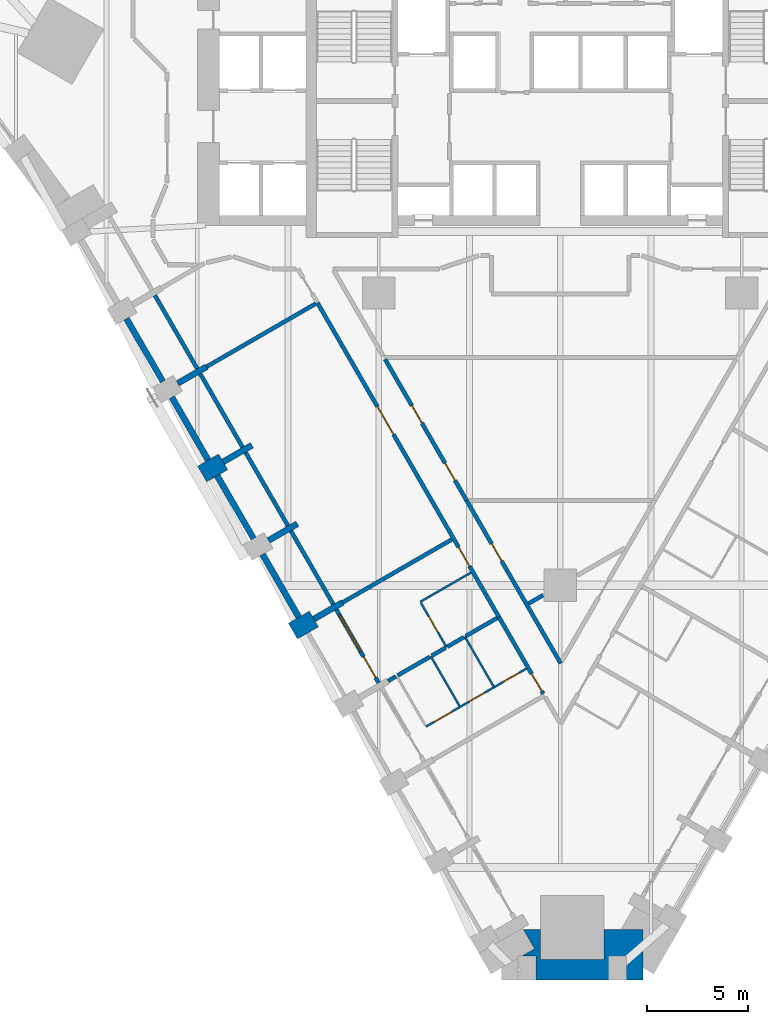
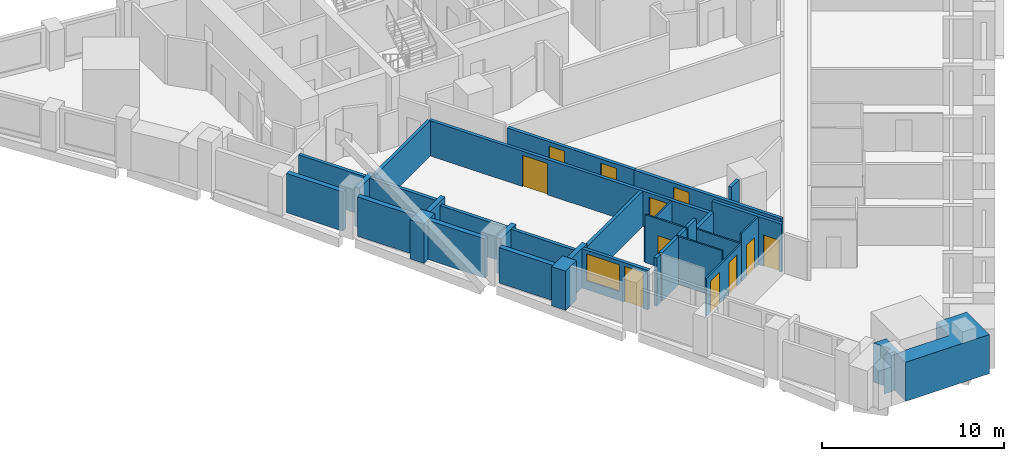
# One storey, part 3 of 10: 34 walls, 11 doors, 1 window, 12 openings.
"""IFC4 building model written with IfcOpenShell, lengths in metres."""

import ifcopenshell
import ifcopenshell.guid

model = None  # the IFC model being written
_history = None  # IfcOwnerHistory: only IFC2X3 demands one
_inside = {}  # id of a spatial element -> (the spatial element, [elements in it])
_under = {}  # id of a project, library or spatial element -> (it, [spatial elements below it])
_declared = {}  # id of a project -> (the project, [libraries it declares])
_typed = {}  # id of a type object -> (the type object, [elements of that type])
_made_of = {}  # id of a material, layer set ... -> (it, [elements and type objects made of it])


def new_model(schema):
    """Start an empty IFC model of exactly this schema.

    Asked for "IFC4X3", IfcOpenShell would pick the latest addendum, in which some entities
    have other attributes; the version numbers below select the first issue.
    IFC2X3 requires an IfcOwnerHistory on every rooted entity: one is made here for all.
    """
    global model, _history
    if schema == "IFC4X3":
        model = ifcopenshell.file(schema_version=(4, 3, 0, 0))
    else:
        model = ifcopenshell.file(schema=schema)
    _inside.clear()
    _under.clear()
    _declared.clear()
    _typed.clear()
    _made_of.clear()
    _history = None
    if model.schema == "IFC2X3":
        org = make("IfcOrganization", Name="unknown")
        user = make(
            "IfcPersonAndOrganization",
            ThePerson=make("IfcPerson", FamilyName="unknown"),
            TheOrganization=org,
        )
        app = make(
            "IfcApplication",
            ApplicationDeveloper=org,
            Version="unknown",
            ApplicationFullName="unknown",
            ApplicationIdentifier="unknown",
        )
        _history = make(
            "IfcOwnerHistory",
            OwningUser=user,
            OwningApplication=app,
            ChangeAction="ADDED",
            CreationDate=0,
        )
    return model


def make(cls, **values):
    """One entity of the class cls with the attributes given. An attribute that is None is left unset."""
    return model.create_entity(
        cls, **{name: value for name, value in values.items() if value is not None}
    )


def rooted(cls, **values):
    """An entity with a GlobalId (a new one), such as an element, a storey or a relation."""
    return make(cls, GlobalId=ifcopenshell.guid.new(), OwnerHistory=_history, **values)


def si_unit(unit_type, name, prefix=None):
    """IfcSIUnit, for example si_unit("LENGTHUNIT", "METRE", prefix="MILLI")."""
    return make("IfcSIUnit", UnitType=unit_type, Prefix=prefix, Name=name)


def assignment(units):
    """IfcUnitAssignment: the units of a project."""
    return None if units is None else make("IfcUnitAssignment", Units=units)


def point(xyz):
    """IfcCartesianPoint."""
    return None if xyz is None else make("IfcCartesianPoint", Coordinates=xyz)


def direction(xyz):
    """IfcDirection."""
    return None if xyz is None else make("IfcDirection", DirectionRatios=xyz)


def frame(location, z_axis=None, x_axis=None):
    """IfcAxis2Placement3D, a coordinate frame: its origin and axes. An axis left out is left unset."""
    return make(
        "IfcAxis2Placement3D",
        Location=point(location),
        Axis=direction(z_axis),
        RefDirection=direction(x_axis),
    )


def frame_2d(location, x_axis=None):
    """IfcAxis2Placement2D, a coordinate frame in the plane: its origin and x axis."""
    return make(
        "IfcAxis2Placement2D", Location=point(location), RefDirection=direction(x_axis)
    )


def origin():
    """The frame at (0, 0, 0) with its axes left unset."""
    return frame((0.0, 0.0, 0.0))


def place(relative_to, where):
    """IfcLocalPlacement: puts the frame where relative to a parent placement (None: the world)."""
    return make(
        "IfcLocalPlacement", PlacementRelTo=relative_to, RelativePlacement=where
    )


def context(
    kind, dimensions, precision=None, world=None, true_north=None, identifier=None
):
    """IfcGeometricRepresentationContext, for example the 3D "Model" context."""
    return make(
        "IfcGeometricRepresentationContext",
        ContextIdentifier=identifier,
        ContextType=kind,
        CoordinateSpaceDimension=dimensions,
        Precision=precision,
        WorldCoordinateSystem=world,
        TrueNorth=true_north,
    )


def subcontext(parent, identifier, kind, view, scale=None):
    """IfcGeometricRepresentationSubContext, for example "Body" below "Model"."""
    return make(
        "IfcGeometricRepresentationSubContext",
        ContextIdentifier=identifier,
        ContextType=kind,
        ParentContext=parent,
        TargetScale=scale,
        TargetView=view,
    )


def project(units=None, contexts=None):
    """IfcProject with its units and contexts."""
    return rooted(
        "IfcProject",
        Name="project",
        RepresentationContexts=contexts,
        UnitsInContext=assignment(units),
    )


def spatial(cls, under=None, at=None, **own):
    """A site, building, storey or space (cls), placed at a placement, below another one or the project."""
    s = rooted(cls, ObjectPlacement=at, **own)
    if under is not None:
        _under.setdefault(under.id(), (under, []))[1].append(s)
    return s


def polyline(points):
    """IfcPolyline through the points."""
    return make("IfcPolyline", Points=[point(p) for p in points])


def profile(cls, at=None, kind="AREA", **sizes):
    """A parametric profile (cls). Its sizes go by their IFC names, for example OverallWidth=200.0."""
    return make(cls, ProfileType=kind, Position=at, **sizes)


def rectangle(**sizes):
    """IfcRectangleProfileDef."""
    return profile("IfcRectangleProfileDef", **sizes)


def outline(outer, holes=None, kind="AREA"):
    """IfcArbitraryClosedProfileDef: a profile drawn as a closed curve; with holes, ...WithVoids."""
    if holes is None:
        return make("IfcArbitraryClosedProfileDef", ProfileType=kind, OuterCurve=outer)
    return make(
        "IfcArbitraryProfileDefWithVoids",
        ProfileType=kind,
        OuterCurve=outer,
        InnerCurves=holes,
    )


def extrude(swept, where, along, depth):
    """IfcExtrudedAreaSolid: the profile swept, set in the frame where, extruded along a direction by depth."""
    return make(
        "IfcExtrudedAreaSolid",
        SweptArea=swept,
        Position=where,
        ExtrudedDirection=direction(along),
        Depth=depth,
    )


def shape(context_of_items, identifier, shape_type, items):
    """IfcShapeRepresentation: the items that make up one representation, for example the "Body"."""
    return make(
        "IfcShapeRepresentation",
        ContextOfItems=context_of_items,
        RepresentationIdentifier=identifier,
        RepresentationType=shape_type,
        Items=items,
    )


def material(Name=None, Category=None):
    """IfcMaterial."""
    return make("IfcMaterial", Name=Name, Category=Category)


def layer(
    of_material, thickness, ventilated=None, Name=None, Category=None, Priority=None
):
    """IfcMaterialLayer: one layer of a wall or slab, of a material (None: an air gap)."""
    return make(
        "IfcMaterialLayer",
        Material=of_material,
        LayerThickness=thickness,
        IsVentilated=ventilated,
        Name=Name,
        Category=Category,
        Priority=Priority,
    )


def layer_set(layers, Name=None):
    """IfcMaterialLayerSet."""
    return make("IfcMaterialLayerSet", MaterialLayers=layers, LayerSetName=Name)


def made_of(thing, what):
    """Note that an element or type object is made of a material, layer set ...; save() writes the relation."""
    if what is not None:
        _made_of.setdefault(what.id(), (what, []))[1].append(thing)
    return thing


def type_object(cls, material=None, **own):
    """A type object (cls), such as IfcWallType, which elements share."""
    return made_of(rooted(cls, **own), material)


def element(
    cls,
    number,
    at=None,
    inside=None,
    cuts=None,
    type_object=None,
    material=None,
    context=None,
    identifier="Body",
    shape_type=None,
    held_by="IfcProductDefinitionShape",
    body=None,
    shapes=None,
    **own,
):
    """One element of the class cls, such as IfcWall. Its Tag is "e" and its number.

    at: its placement. inside: the storey or other place that contains it. cuts: it is an
    opening in that element (IfcRelVoidsElement). A single representation is given by context,
    identifier, shape_type and body (its items); several are given by shapes. held_by: the class
    of the entity that holds the representations. save() writes the other relations.
    """
    e = rooted(cls, Tag="e%d" % number, ObjectPlacement=at, **own)
    if body is not None:
        shapes = [shape(context, identifier, shape_type, body)]
    if shapes is not None:
        e.Representation = make(held_by, Representations=shapes)
    if inside is not None:
        _inside.setdefault(inside.id(), (inside, []))[1].append(e)
    if cuts is not None:
        rooted(
            "IfcRelVoidsElement", RelatingBuildingElement=cuts, RelatedOpeningElement=e
        )
    if type_object is not None:
        _typed.setdefault(type_object.id(), (type_object, []))[1].append(e)
    return made_of(e, material)


def fill(opening, filler):
    """IfcRelFillsElement: the door or window that sits in an opening."""
    return rooted(
        "IfcRelFillsElement",
        RelatingOpeningElement=opening,
        RelatedBuildingElement=filler,
    )


def aggregate(whole, parts):
    """IfcRelAggregates: a whole, such as a stair, and the parts it consists of."""
    return rooted("IfcRelAggregates", RelatingObject=whole, RelatedObjects=parts)


def save(model, path):
    """Write the relations noted so far, then the file.

    IfcRelAggregates (storeys below a building ...), IfcRelContainedInSpatialStructure (elements
    in a storey), IfcRelDefinesByType, IfcRelAssociatesMaterial and IfcRelDeclares: one each for
    every whole, place, type object, material and project.
    """
    for whole, parts in _under.values():
        aggregate(whole, parts)
    for where, things in _inside.values():
        rooted(
            "IfcRelContainedInSpatialStructure",
            RelatedElements=things,
            RelatingStructure=where,
        )
    for kind, things in _typed.values():
        rooted("IfcRelDefinesByType", RelatedObjects=things, RelatingType=kind)
    for what, things in _made_of.values():
        rooted("IfcRelAssociatesMaterial", RelatedObjects=things, RelatingMaterial=what)
    for by, libraries in _declared.values():
        rooted("IfcRelDeclares", RelatingContext=by, RelatedDefinitions=libraries)
    model.write(path)


model = new_model("IFC4")

# Units and contexts
model_context = context("Model", 3, precision=1e-05, world=origin(), true_north=direction((0.0, 1.0)))
body_context = subcontext(model_context, "Body", "Model", "MODEL_VIEW")
ifc_project = project(units=[si_unit("LENGTHUNIT", "METRE"), si_unit("AREAUNIT", "SQUARE_METRE"), si_unit("VOLUMEUNIT", "CUBIC_METRE"), si_unit("PLANEANGLEUNIT", "RADIAN"), si_unit("MASSUNIT", "GRAM", prefix="KILO")], contexts=[model_context])

# Site, building, storey
site_placement = place(None, origin())
site = spatial("IfcSite", under=ifc_project, at=site_placement, CompositionType="ELEMENT")
building_placement = place(site_placement, origin())
building = spatial("IfcBuilding", under=site, at=building_placement, Name="Calabash Gate Tower", CompositionType="ELEMENT")
storey_placement = place(building_placement, frame((0.0, 0.0, 66.39990234375)))
storey = spatial("IfcBuildingStorey", under=building, at=storey_placement, Name="L12", CompositionType="ELEMENT", Elevation=66.39990234375)

# Walls
ifc_material_1 = material(Name="Terracotta brick masonry, exposed face", Category="masonry")
ifc_layer_1 = layer(ifc_material_1, 2.5)
ifc_layer_set_1 = layer_set([ifc_layer_1], Name="Brick corner mass wall 2500")
wall_type_1 = type_object("IfcWallType", Name="Brick corner mass wall 2500", PredefinedType="SOLIDWALL", material=ifc_layer_set_1)
wall_1_placement = place(storey_placement, origin())
element("IfcWall", 1, at=wall_1_placement, inside=storey, type_object=wall_type_1, Name="Brick corner pier S03 2bb", PredefinedType="SOLIDWALL", context=body_context, shape_type="SweptSolid", body=[
    extrude(outline(polyline([(-1.202880859375, -30.376953125), (-1.202880859375, -31.576904296875), (4.115478515625, -31.576904296875), (4.115478515625, -29.076904296875), (2.172119140625, -29.076904296875), (2.172119140625, -30.548095703125), (-0.97802734375, -30.548095703125), (-0.97802734375, -29.076904296875), (-1.8251953125, -29.076904296875), (-1.276611328125, -30.027099609375), (-1.8828125, -30.376953125), (-1.202880859375, -30.376953125)])), origin(), (0.0, 0.0, 1.0), 2.630126953125),
])
ifc_material_2 = material(Name="Terracotta brick masonry, exposed face", Category="masonry")
ifc_layer_2 = layer(ifc_material_2, 1.199951171875)
ifc_layer_set_2 = layer_set([ifc_layer_2], Name="Brick end wall 1200")
wall_type_2 = type_object("IfcWallType", Name="Brick end wall 1200", PredefinedType="SOLIDWALL", material=ifc_layer_set_2)
for number, where, z_axis, x_axis, name in (
    (2, (-17.759033203125, -6.478759765625, 0.0), (0.0, 0.0, 1.0), (0.866006032174, 0.500033551112, 0.0), "Brick pier S03 SW0.3"),
    (3, (-13.259033203125, -14.27294921875, 0.0), (0.0, 0.0, 1.0), (0.866006032174, 0.500033551112, 0.0), "Brick pier S03 SW0.5"),
):
    element("IfcWall", number, at=place(storey_placement, frame(where, z_axis=z_axis, x_axis=x_axis)), inside=storey, type_object=wall_type_2, Name=name, PredefinedType="SOLIDWALL", context=body_context, shape_type="SweptSolid", body=[
        extrude(rectangle(XDim=1.2001953125, YDim=0.89990234375, at=frame_2d((0.60009765625, 0.0))), origin(), (0.0, 0.0, 1.0), 2.630126953125),
    ])
ifc_material_3 = material(Name="Terracotta brick masonry, exposed face", Category="masonry")
ifc_layer_3 = layer(ifc_material_3, 0.300048828125)
ifc_layer_set_3 = layer_set([ifc_layer_3], Name="Brick infill panel wall 300")
wall_type_3 = type_object("IfcWallType", Name="Brick infill panel wall 300", PredefinedType="SOLIDWALL", material=ifc_layer_set_3)
wall_2_placement = place(storey_placement, frame((-21.514404296875, 1.225830078125, 0.0), z_axis=(0.0, 0.0, 1.0), x_axis=(0.500012057535, -0.866018442252, 0.0)))
element("IfcWall", 4, at=wall_2_placement, inside=storey, type_object=wall_type_3, Name="Brick panel S03 SW0.2", PredefinedType="SOLIDWALL", context=body_context, shape_type="SweptSolid", body=[
    extrude(rectangle(XDim=3.60009765625, YDim=0.300048828125, at=frame_2d((1.800048828125, 0.0))), origin(), (0.0, 0.0, 1.0), 2.630126953125),
])
wall_3_placement = place(storey_placement, frame((-17.46435546875, -5.7890625, 0.0), z_axis=(0.0, 0.0, 1.0), x_axis=(-0.50001992892, 0.866013897511, 0.0)))
element("IfcWall", 5, at=wall_3_placement, inside=storey, type_object=wall_type_3, Name="Brick panel S03 SW0.3", PredefinedType="SOLIDWALL", context=body_context, shape_type="SweptSolid", body=[
    extrude(rectangle(XDim=3.599365234375, YDim=0.300048828125, at=frame_2d((1.7998046875, 0.0))), origin(), (0.0, 0.0, 1.0), 2.630126953125),
])
wall_4_placement = place(storey_placement, frame((-17.014404296875, -6.568359375, 0.0), z_axis=(0.0, 0.0, 1.0), x_axis=(0.500012057535, -0.866018442252, 0.0)))
element("IfcWall", 6, at=wall_4_placement, inside=storey, type_object=wall_type_3, Name="Brick panel S03 SW0.4", PredefinedType="SOLIDWALL", context=body_context, shape_type="SweptSolid", body=[
    extrude(rectangle(XDim=3.60009765625, YDim=0.300048828125, at=frame_2d((1.800048828125, 0.0))), origin(), (0.0, 0.0, 1.0), 2.630126953125),
])
wall_5_placement = place(storey_placement, frame((-12.96435546875, -13.583251953125, 0.0), z_axis=(0.0, 0.0, 1.0), x_axis=(-0.499990559667, 0.866030854095, 0.0)))
element("IfcWall", 7, at=wall_5_placement, inside=storey, type_object=wall_type_3, Name="Brick panel S03 SW0.5", PredefinedType="SOLIDWALL", context=body_context, shape_type="SweptSolid", body=[
    extrude(rectangle(XDim=3.599609375, YDim=0.300048828125, at=frame_2d((1.7998046875, 0.0))), origin(), (0.0, 0.0, 1.0), 2.3740234375),
])
ifc_material_4 = material(Name="Terracotta brick masonry, exposed face", Category="masonry")
ifc_layer_4 = layer(ifc_material_4, 0.300048828125)
ifc_layer_set_4 = layer_set([ifc_layer_4], Name="Brick loggia cheek wall 300")
wall_type_4 = type_object("IfcWallType", Name="Brick loggia cheek wall 300", PredefinedType="SOLIDWALL", material=ifc_layer_set_4)
for number, where, z_axis, x_axis, name in (
    (8, (-17.540771484375, -1.15673828125, 0.0), (0.0, 0.0, 1.0), (-0.866104278045, -0.499863360881, 0.0), "Loggia cheek S03 SW0.2"),
    (9, (-15.290771484375, -5.0537109375, 0.0), (0.0, 0.0, 1.0), (-0.866040211805, -0.499974350878, 0.0), "Loggia cheek S03 SW0.3"),
):
    element("IfcWall", number, at=place(storey_placement, frame(where, z_axis=z_axis, x_axis=x_axis)), inside=storey, type_object=wall_type_4, Name=name, PredefinedType="SOLIDWALL", context=body_context, shape_type="SweptSolid", body=[
        extrude(rectangle(XDim=1.64990234375, YDim=0.300048828125, at=frame_2d((0.824951171875, 0.0))), origin(), (0.0, 0.0, 1.0), 2.650146484375),
    ])
wall_6_placement = place(storey_placement, frame((-14.469482421875, -9.775634765625, 0.0), z_axis=(0.0, 0.0, 1.0), x_axis=(0.866067297121, 0.499927431592, 0.0)))
element("IfcWall", 10, at=wall_6_placement, inside=storey, type_object=wall_type_4, Name="Loggia cheek S03 SW0.4", PredefinedType="SOLIDWALL", context=body_context, shape_type="SweptSolid", body=[
    extrude(rectangle(XDim=1.649658203125, YDim=0.300048828125, at=frame_2d((0.82470703125, 0.0))), origin(), (0.0, 0.0, 1.0), 2.38427734375),
])
wall_7_placement = place(storey_placement, frame((-12.2197265625, -13.6728515625, 0.0), z_axis=(0.0, 0.0, 1.0), x_axis=(0.866040211805, 0.499974350878, 0.0)))
element("IfcWall", 11, at=wall_7_placement, inside=storey, type_object=wall_type_4, Name="Loggia cheek S03 SW0.5", PredefinedType="SOLIDWALL", context=body_context, shape_type="SweptSolid", body=[
    extrude(rectangle(XDim=1.64990234375, YDim=0.300048828125, at=frame_2d((0.824951171875, 0.0))), origin(), (0.0, 0.0, 1.0), 2.650146484375),
])

# Wall, openings, doors
ifc_material_5 = material(Name="Gypsum board on steel studs, mineral wool", Category="steel")
ifc_layer_5 = layer(ifc_material_5, 0.10009765625)
ifc_layer_set_5 = layer_set([ifc_layer_5], Name="Partition 100 gypsum board")
wall_type_5 = type_object("IfcWallType", Name="Partition 100 gypsum board", PredefinedType="PARTITIONING", material=ifc_layer_set_5)
wall_8_placement = place(storey_placement, frame((-6.656982421875, -19.008056640625, 0.0), z_axis=(0.0, 0.0, 1.0), x_axis=(0.865563469975, 0.50079924066, 0.0)))
wall_8 = element("IfcWall", 12, at=wall_8_placement, inside=storey, type_object=wall_type_5, Name="Partition", PredefinedType="PARTITIONING", context=body_context, shape_type="SweptSolid", body=[
    extrude(rectangle(XDim=3.89794921875, YDim=0.10009765625, at=frame_2d((1.948974609375, 0.0))), origin(), (0.0, 0.0, 1.0), 2.552001953125),
])
opening_1_placement = place(wall_8_placement, frame((2.47509765625, 0.0, 0.0)))
opening_1 = element("IfcOpeningElement", 13, at=opening_1_placement, cuts=wall_8, Name="Opening 12-14-017", PredefinedType="OPENING", context=body_context, shape_type="SweptSolid", body=[
    extrude(rectangle(XDim=0.89990234375, YDim=2.10009765625, at=frame_2d((0.449951171875, 1.050048828125))), frame((0.0, 0.06005859375, 0.0), z_axis=(0.0, -1.0, 0.0), x_axis=(1.0, 0.0, 0.0)), (0.0, 0.0, 1.0), 0.1201171875),
])
opening_2_placement = place(wall_8_placement, frame((0.474853515625, 0.0, 0.0)))
opening_2 = element("IfcOpeningElement", 14, at=opening_2_placement, cuts=wall_8, Name="Opening 12-14-018", PredefinedType="OPENING", context=body_context, shape_type="SweptSolid", body=[
    extrude(rectangle(XDim=1.0, YDim=2.10009765625, at=frame_2d((0.5, 1.050048828125))), frame((0.0, 0.06005859375, 0.0), z_axis=(0.0, -1.0, 0.0), x_axis=(1.0, 0.0, 0.0)), (0.0, 0.0, 1.0), 0.1201171875),
])
ifc_material_6 = material(Name="Painted timber door", Category="wood")
door_type_1 = type_object("IfcDoorType", Name="WD1 WC door 900x2100", OperationType="NOTDEFINED", PredefinedType="DOOR", material=ifc_material_6)
door_1_placement = place(opening_1_placement, origin())
door_1 = element("IfcDoor", 15, at=door_1_placement, inside=storey, type_object=door_type_1, Name="WC door", OperationType="SINGLE_SWING_RIGHT", OverallHeight=2.10009765625, OverallWidth=0.89990234375, PredefinedType="DOOR", context=body_context, shape_type="SweptSolid", body=[
    extrude(rectangle(XDim=0.89990234375, YDim=2.10009765625, at=frame_2d((0.449951171875, 1.050048828125))), frame((0.0, 0.02490234375, 0.0), z_axis=(0.0, -1.0, 0.0), x_axis=(1.0, 0.0, 0.0)), (0.0, 0.0, 1.0), 0.050048828125),
])
fill(opening_1, door_1)
ifc_material_7 = material(Name="Painted timber door", Category="wood")
door_type_2 = type_object("IfcDoorType", Name="WD2 Accessible WC door 1000x2100", OperationType="NOTDEFINED", PredefinedType="DOOR", material=ifc_material_7)
door_2_placement = place(opening_2_placement, origin())
door_2 = element("IfcDoor", 16, at=door_2_placement, inside=storey, type_object=door_type_2, Name="Accessible WC door", OperationType="SINGLE_SWING_LEFT", OverallHeight=2.10009765625, OverallWidth=1.0, PredefinedType="DOOR", context=body_context, shape_type="SweptSolid", body=[
    extrude(rectangle(XDim=1.0, YDim=2.10009765625, at=frame_2d((0.5, 1.050048828125))), frame((0.0, 0.02490234375, 0.0), z_axis=(0.0, -1.0, 0.0), x_axis=(1.0, 0.0, 0.0)), (0.0, 0.0, 1.0), 0.050048828125),
])
fill(opening_2, door_2)

# Wall
wall_9_placement = place(storey_placement, frame((-6.420654296875, -15.521240234375, 0.0), z_axis=(0.0, 0.0, 1.0), x_axis=(0.499972122318, -0.866041498374, 0.0)))
element("IfcWall", 17, at=wall_9_placement, inside=storey, type_object=wall_type_5, Name="Partition", PredefinedType="PARTITIONING", context=body_context, shape_type="SweptSolid", body=[
    extrude(rectangle(XDim=2.849853515625, YDim=0.10009765625, at=frame_2d((1.4248046875, 0.0))), origin(), (0.0, 0.0, 1.0), 3.22998046875),
])

# Wall, opening, door
wall_10_placement = place(storey_placement, frame((-3.280517578125, -17.056396484375, 0.0), z_axis=(0.0, 0.0, 1.0), x_axis=(0.866058118026, 0.49994333299, 0.0)))
wall_10 = element("IfcWall", 18, at=wall_10_placement, inside=storey, type_object=wall_type_5, Name="Partition", PredefinedType="PARTITIONING", context=body_context, shape_type="SweptSolid", body=[
    extrude(rectangle(XDim=1.849853515625, YDim=0.10009765625, at=frame_2d((0.9248046875, 0.0))), origin(), (0.0, 0.0, 1.0), 3.22998046875),
])
opening_3_placement = place(wall_10_placement, frame((0.52490234375, 0.0, 0.0)))
opening_3 = element("IfcOpeningElement", 19, at=opening_3_placement, cuts=wall_10, Name="Opening 12-14-016", PredefinedType="OPENING", context=body_context, shape_type="SweptSolid", body=[
    extrude(rectangle(XDim=0.89990234375, YDim=2.10009765625, at=frame_2d((0.449951171875, 1.050048828125))), frame((0.0, 0.06005859375, 0.0), z_axis=(0.0, -1.0, 0.0), x_axis=(1.0, 0.0, 0.0)), (0.0, 0.0, 1.0), 0.1201171875),
])
door_3_placement = place(opening_3_placement, origin())
door_3 = element("IfcDoor", 20, at=door_3_placement, inside=storey, type_object=door_type_1, Name="WC door", OperationType="SINGLE_SWING_RIGHT", OverallHeight=2.10009765625, OverallWidth=0.89990234375, PredefinedType="DOOR", context=body_context, shape_type="SweptSolid", body=[
    extrude(rectangle(XDim=0.89990234375, YDim=2.10009765625, at=frame_2d((0.449951171875, 1.050048828125))), frame((0.0, 0.02490234375, 0.0), z_axis=(0.0, -1.0, 0.0), x_axis=(1.0, 0.0, 0.0)), (0.0, 0.0, 1.0), 0.050048828125),
])
fill(opening_3, door_3)

# Wall
wall_11_placement = place(storey_placement, frame((-4.73193359375, -14.546142578125, 0.0), z_axis=(0.0, 0.0, 1.0), x_axis=(0.499972122318, -0.866041498374, 0.0)))
element("IfcWall", 21, at=wall_11_placement, inside=storey, type_object=wall_type_5, Name="Partition", PredefinedType="PARTITIONING", context=body_context, shape_type="SweptSolid", body=[
    extrude(rectangle(XDim=2.849853515625, YDim=0.10009765625, at=frame_2d((1.4248046875, 0.0))), origin(), (0.0, 0.0, 1.0), 2.552001953125),
])

# Wall, opening, door
wall_12_placement = place(storey_placement, frame((-6.914794921875, -12.86181640625, 0.0), z_axis=(0.0, 0.0, 1.0), x_axis=(0.500062241894, -0.865989465428, 0.0)))
wall_12 = element("IfcWall", 22, at=wall_12_placement, inside=storey, type_object=wall_type_5, Name="Partition", PredefinedType="PARTITIONING", context=body_context, shape_type="SweptSolid", body=[
    extrude(rectangle(XDim=2.550048828125, YDim=0.10009765625, at=frame_2d((1.27490234375, 0.0))), origin(), (0.0, 0.0, 1.0), 3.22998046875),
])
opening_4_placement = place(wall_12_placement, frame((0.800048828125, 0.0, 0.0)))
opening_4 = element("IfcOpeningElement", 23, at=opening_4_placement, cuts=wall_12, Name="Opening 12-14-003", PredefinedType="OPENING", context=body_context, shape_type="SweptSolid", body=[
    extrude(rectangle(XDim=0.89990234375, YDim=2.10009765625, at=frame_2d((0.449951171875, 1.050048828125))), frame((0.0, 0.06005859375, 0.0), z_axis=(0.0, -1.0, 0.0), x_axis=(1.0, 0.0, 0.0)), (0.0, 0.0, 1.0), 0.1201171875),
])
ifc_material_8 = material(Name="Painted timber door", Category="wood")
door_type_3 = type_object("IfcDoorType", Name="GD6 Accessible en-suite door 900x2100", OperationType="NOTDEFINED", PredefinedType="DOOR", material=ifc_material_8)
door_4_placement = place(opening_4_placement, origin())
door_4 = element("IfcDoor", 24, at=door_4_placement, inside=storey, type_object=door_type_3, Name="Accessible en-suite door", OperationType="SINGLE_SWING_LEFT", OverallHeight=2.10009765625, OverallWidth=0.89990234375, PredefinedType="DOOR", context=body_context, shape_type="SweptSolid", body=[
    extrude(rectangle(XDim=0.89990234375, YDim=2.10009765625, at=frame_2d((0.449951171875, 1.050048828125))), frame((0.0, 0.02490234375, 0.0), z_axis=(0.0, -1.0, 0.0), x_axis=(1.0, 0.0, 0.0)), (0.0, 0.0, 1.0), 0.050048828125),
])
fill(opening_4, door_4)

# Wall
wall_13_placement = place(storey_placement, frame((-6.939697265625, -12.818359375, 0.0), z_axis=(0.0, 0.0, 1.0), x_axis=(0.866314505181, 0.49949892704, 0.0)))
element("IfcWall", 25, at=wall_13_placement, inside=storey, type_object=wall_type_5, Name="Partition", PredefinedType="PARTITIONING", context=body_context, shape_type="SweptSolid", body=[
    extrude(rectangle(XDim=2.89990234375, YDim=0.10009765625, at=frame_2d((1.449951171875, 0.0))), origin(), (0.0, 0.0, 1.0), 2.3740234375),
])

# Wall, opening, door
ifc_material_9 = material(Name="Gypsum board on steel studs, mineral wool", Category="steel")
ifc_layer_6 = layer(ifc_material_9, 0.199951171875)
ifc_layer_set_6 = layer_set([ifc_layer_6], Name="Partition 200 gypsum board EI 60")
wall_type_6 = type_object("IfcWallType", Name="Partition 200 gypsum board EI 60", PredefinedType="PARTITIONING", material=ifc_layer_set_6)
wall_14_placement = place(storey_placement, frame((-3.042236328125, -13.57275390625, 0.0), z_axis=(0.0, 0.0, 1.0), x_axis=(0.49998522367, -0.866033934735, 0.0)))
wall_14 = element("IfcWall", 26, at=wall_14_placement, inside=storey, type_object=wall_type_6, Name="Partition", PredefinedType="PARTITIONING", context=body_context, shape_type="SweptSolid", body=[
    extrude(rectangle(XDim=4.396728515625, YDim=0.199951171875, at=frame_2d((2.1982421875, 0.0))), origin(), (0.0, 0.0, 1.0), 3.22998046875),
])
opening_5_placement = place(wall_14_placement, frame((3.25, 0.0, 0.0)))
opening_5 = element("IfcOpeningElement", 27, at=opening_5_placement, cuts=wall_14, Name="Opening 12-14-015", PredefinedType="OPENING", context=body_context, shape_type="SweptSolid", body=[
    extrude(rectangle(XDim=1.0, YDim=2.10009765625, at=frame_2d((0.5, 1.050048828125))), frame((0.0, 0.10986328125, 0.0), z_axis=(0.0, -1.0, 0.0), x_axis=(1.0, 0.0, 0.0)), (0.0, 0.0, 1.0), 0.219970703125),
])
ifc_material_10 = material(Name="Steel fire door set with fire-resisting glazing", Category="steel")
door_type_4 = type_object("IfcDoorType", Name="WD3 WC lobby door 1000x2100", OperationType="NOTDEFINED", PredefinedType="DOOR", material=ifc_material_10)
door_5_placement = place(opening_5_placement, origin())
door_5 = element("IfcDoor", 28, at=door_5_placement, inside=storey, type_object=door_type_4, Name="WC lobby door", OperationType="SINGLE_SWING_LEFT", OverallHeight=2.10009765625, OverallWidth=1.0, PredefinedType="DOOR", context=body_context, shape_type="SweptSolid", body=[
    extrude(rectangle(XDim=1.0, YDim=2.10009765625, at=frame_2d((0.5, 1.050048828125))), frame((0.0, 0.02490234375, 0.0), z_axis=(0.0, -1.0, 0.0), x_axis=(1.0, 0.0, 0.0)), (0.0, 0.0, 1.0), 0.050048828125),
])
fill(opening_5, door_5)

# Walls
wall_15_placement = place(storey_placement, frame((-8.540771484375, -16.7451171875, 0.0), z_axis=(0.0, 0.0, 1.0), x_axis=(0.867942353255, 0.496664948861, 0.0)))
element("IfcWall", 29, at=wall_15_placement, inside=storey, type_object=wall_type_6, Name="Partition", PredefinedType="PARTITIONING", context=body_context, shape_type="SweptSolid", body=[
    extrude(rectangle(XDim=0.44970703125, YDim=0.199951171875, at=frame_2d((0.224853515625, 0.0))), origin(), (0.0, 0.0, 1.0), 3.22998046875),
])
wall_16_placement = place(storey_placement, frame((-8.064453125, -16.47021484375, 0.0), z_axis=(0.0, 0.0, 1.0), x_axis=(0.866499636502, 0.49917770377, 0.0)))
element("IfcWall", 30, at=wall_16_placement, inside=storey, type_object=wall_type_6, Name="Partition", PredefinedType="PARTITIONING", context=body_context, shape_type="SweptSolid", body=[
    extrude(rectangle(XDim=1.849609375, YDim=0.199951171875, at=frame_2d((0.9248046875, 0.0))), origin(), (0.0, 0.0, 1.0), 3.22998046875),
])
wall_17_placement = place(storey_placement, frame((-6.375732421875, -15.4951171875, 0.0), z_axis=(0.0, 0.0, 1.0), x_axis=(0.866155162719, 0.499775183552, 0.0)))
element("IfcWall", 31, at=wall_17_placement, inside=storey, type_object=wall_type_6, Name="Partition", PredefinedType="PARTITIONING", context=body_context, shape_type="SweptSolid", body=[
    extrude(rectangle(XDim=0.801513671875, YDim=0.199951171875, at=frame_2d((0.40087890625, 0.0))), origin(), (0.0, 0.0, 1.0), 3.22998046875),
])
wall_18_placement = place(storey_placement, frame((-5.597900390625, -15.04638671875, 0.0), z_axis=(0.0, 0.0, 1.0), x_axis=(0.866787114338, 0.498678351664, 0.0)))
element("IfcWall", 32, at=wall_18_placement, inside=storey, type_object=wall_type_6, Name="Partition", PredefinedType="PARTITIONING", context=body_context, shape_type="SweptSolid", body=[
    extrude(rectangle(XDim=0.95166015625, YDim=0.199951171875, at=frame_2d((0.475830078125, 0.0))), origin(), (0.0, 0.0, 1.0), 3.22998046875),
])
wall_19_placement = place(storey_placement, frame((-4.68701171875, -14.520263671875, 0.0), z_axis=(0.0, 0.0, 1.0), x_axis=(0.866533485277, 0.499118942632, 0.0)))
element("IfcWall", 33, at=wall_19_placement, inside=storey, type_object=wall_type_6, Name="Partition", PredefinedType="PARTITIONING", context=body_context, shape_type="SweptSolid", body=[
    extrude(rectangle(XDim=1.798095703125, YDim=0.199951171875, at=frame_2d((0.89892578125, 0.0))), origin(), (0.0, 0.0, 1.0), 2.552001953125),
])

# Wall, openings, doors
wall_20_placement = place(storey_placement, frame((-12.043212890625, 2.017333984375, 0.0), z_axis=(0.0, 0.0, 1.0), x_axis=(0.5000018851, -0.866024315419, 0.0)))
wall_20 = element("IfcWall", 34, at=wall_20_placement, inside=storey, type_object=wall_type_6, Name="Partition", PredefinedType="PARTITIONING", context=body_context, shape_type="SweptSolid", body=[
    extrude(rectangle(XDim=18.0, YDim=0.199951171875, at=frame_2d((9.0, 0.0))), origin(), (0.0, 0.0, 1.0), 2.3740234375),
])
opening_6_placement = place(wall_20_placement, frame((5.949951171875, 0.0, 0.0)))
opening_6 = element("IfcOpeningElement", 35, at=opening_6_placement, cuts=wall_20, Name="Opening 12-14-001", PredefinedType="OPENING", context=body_context, shape_type="SweptSolid", body=[
    extrude(rectangle(XDim=1.60009765625, YDim=2.10009765625, at=frame_2d((0.800048828125, 1.050048828125))), frame((0.0, 0.10986328125, 0.0), z_axis=(0.0, -1.0, 0.0), x_axis=(1.0, 0.0, 0.0)), (0.0, 0.0, 1.0), 0.219970703125),
])
opening_7_placement = place(wall_20_placement, frame((14.0, 0.0, 0.0)))
opening_7 = element("IfcOpeningElement", 36, at=opening_7_placement, cuts=wall_20, Name="Opening 12-14-002", PredefinedType="OPENING", context=body_context, shape_type="SweptSolid", body=[
    extrude(rectangle(XDim=1.10009765625, YDim=2.10009765625, at=frame_2d((0.550048828125, 1.050048828125))), frame((0.0, 0.10986328125, 0.0), z_axis=(0.0, -1.0, 0.0), x_axis=(1.0, 0.0, 0.0)), (0.0, 0.0, 1.0), 0.219970703125),
])
ifc_material_11 = material(Name="Steel fire door set with fire-resisting glazing", Category="steel")
door_type_5 = type_object("IfcDoorType", Name="GD2 Accessible guest room entrance door 1100x2100", OperationType="NOTDEFINED", PredefinedType="DOOR", material=ifc_material_11)
door_6_placement = place(opening_7_placement, origin())
door_6 = element("IfcDoor", 37, at=door_6_placement, inside=storey, type_object=door_type_5, Name="Accessible guest room entrance door", OperationType="SINGLE_SWING_RIGHT", OverallHeight=2.10009765625, OverallWidth=1.10009765625, PredefinedType="DOOR", context=body_context, shape_type="SweptSolid", body=[
    extrude(rectangle(XDim=1.10009765625, YDim=2.10009765625, at=frame_2d((0.550048828125, 1.050048828125))), frame((0.0, 0.02490234375, 0.0), z_axis=(0.0, -1.0, 0.0), x_axis=(1.0, 0.0, 0.0)), (0.0, 0.0, 1.0), 0.050048828125),
])
fill(opening_7, door_6)
ifc_material_12 = material(Name="Steel fire door set with fire-resisting glazing", Category="steel")
door_type_6 = type_object("IfcDoorType", Name="LD1 Lounge double door 1600x2100", OperationType="NOTDEFINED", PredefinedType="DOOR", material=ifc_material_12)
door_7_placement = place(opening_6_placement, origin())
door_7 = element("IfcDoor", 38, at=door_7_placement, inside=storey, type_object=door_type_6, Name="Lounge double door", OperationType="DOUBLE_DOOR_SINGLE_SWING", OverallHeight=2.10009765625, OverallWidth=1.60009765625, PredefinedType="DOOR", context=body_context, shape_type="SweptSolid", body=[
    extrude(rectangle(XDim=1.60009765625, YDim=2.10009765625, at=frame_2d((0.800048828125, 1.050048828125))), frame((0.0, 0.02490234375, 0.0), z_axis=(0.0, -1.0, 0.0), x_axis=(1.0, 0.0, 0.0)), (0.0, 0.0, 1.0), 0.050048828125),
])
fill(opening_6, door_7)

# Walls
wall_21_placement = place(storey_placement, frame((-1.576171875, -12.907958984375, 0.0), z_axis=(0.0, 0.0, 1.0), x_axis=(0.866912601189, 0.498460170825, 0.0)))
element("IfcWall", 39, at=wall_21_placement, inside=storey, type_object=wall_type_6, Name="Partition", PredefinedType="PARTITIONING", context=body_context, shape_type="SweptSolid", body=[
    extrude(rectangle(XDim=0.837646484375, YDim=0.199951171875, at=frame_2d((0.4189453125, 0.0))), origin(), (0.0, 0.0, 1.0), 3.22998046875),
])
wall_22_placement = place(storey_placement, frame((-10.790771484375, -12.84814453125, 0.0), z_axis=(0.0, 0.0, 1.0), x_axis=(0.866170627668, 0.499748380452, 0.0)))
element("IfcWall", 40, at=wall_22_placement, inside=storey, type_object=wall_type_6, Name="Partition", PredefinedType="PARTITIONING", context=body_context, shape_type="SweptSolid", body=[
    extrude(rectangle(XDim=6.249755859375, YDim=0.199951171875, at=frame_2d((3.125, 0.0))), origin(), (0.0, 0.0, 1.0), 2.3740234375),
])

# Wall, opening, door
wall_23_placement = place(storey_placement, frame((-4.64892578125, -7.7822265625, 0.0), z_axis=(0.0, 0.0, 1.0), x_axis=(0.500018878653, -0.866014503915, 0.0)))
wall_23 = element("IfcWall", 41, at=wall_23_placement, inside=storey, type_object=wall_type_6, Name="Partition", PredefinedType="PARTITIONING", context=body_context, shape_type="SweptSolid", body=[
    extrude(rectangle(XDim=9.339599609375, YDim=0.199951171875, at=frame_2d((4.669921875, 0.0))), origin(), (0.0, 0.0, 1.0), 2.3740234375),
])
opening_8_placement = place(wall_23_placement, frame((2.48779296875, 0.0, 0.0)))
opening_8 = element("IfcOpeningElement", 42, at=opening_8_placement, cuts=wall_23, Name="Opening 12-14-013", PredefinedType="OPENING", context=body_context, shape_type="SweptSolid", body=[
    extrude(rectangle(XDim=1.0, YDim=2.10009765625, at=frame_2d((0.5, 1.050048828125))), frame((0.0, 0.10986328125, 0.0), z_axis=(0.0, -1.0, 0.0), x_axis=(1.0, 0.0, 0.0)), (0.0, 0.0, 1.0), 0.219970703125),
])
ifc_material_13 = material(Name="Steel fire door set with fire-resisting glazing", Category="steel")
door_type_7 = type_object("IfcDoorType", Name="LD2 Meeting room door 1000x2100", OperationType="NOTDEFINED", PredefinedType="DOOR", material=ifc_material_13)
door_8_placement = place(opening_8_placement, origin())
door_8 = element("IfcDoor", 43, at=door_8_placement, inside=storey, type_object=door_type_7, Name="Meeting room door", OperationType="SINGLE_SWING_LEFT", OverallHeight=2.10009765625, OverallWidth=1.0, PredefinedType="DOOR", context=body_context, shape_type="SweptSolid", body=[
    extrude(rectangle(XDim=1.0, YDim=2.10009765625, at=frame_2d((0.5, 1.050048828125))), frame((0.0, 0.02490234375, 0.0), z_axis=(0.0, -1.0, 0.0), x_axis=(1.0, 0.0, 0.0)), (0.0, 0.0, 1.0), 0.050048828125),
])
fill(opening_8, door_8)

# Wall
wall_24_placement = place(storey_placement, frame((-17.541015625, -1.15625, 0.0), z_axis=(0.0, 0.0, 1.0), x_axis=(0.865906436394, 0.500206000974, 0.0)))
element("IfcWall", 44, at=wall_24_placement, inside=storey, type_object=wall_type_6, Name="Partition", PredefinedType="PARTITIONING", context=body_context, shape_type="SweptSolid", body=[
    extrude(rectangle(XDim=6.249267578125, YDim=0.199951171875, at=frame_2d((3.12451171875, 0.0))), origin(), (0.0, 0.0, 1.0), 2.38427734375),
])

# Wall, openings, doors
wall_25_placement = place(storey_placement, frame((-8.685791015625, -0.790283203125, 0.0), z_axis=(0.0, 0.0, 1.0), x_axis=(0.499814962183, -0.866132209064, 0.0)))
wall_25 = element("IfcWall", 45, at=wall_25_placement, inside=storey, type_object=wall_type_6, Name="Partition", PredefinedType="PARTITIONING", context=body_context, shape_type="SweptSolid", body=[
    extrude(rectangle(XDim=8.072265625, YDim=0.199951171875, at=frame_2d((4.0361328125, 0.0))), origin(), (0.0, 0.0, 1.0), 2.38427734375),
])
opening_9_placement = place(wall_25_placement, frame((5.93896484375, 0.0, 0.0)))
opening_9 = element("IfcOpeningElement", 46, at=opening_9_placement, cuts=wall_25, Name="Opening 12-14-011", PredefinedType="OPENING", context=body_context, shape_type="SweptSolid", body=[
    extrude(rectangle(XDim=1.0, YDim=2.10009765625, at=frame_2d((0.5, 1.050048828125))), frame((0.0, 0.10986328125, 0.0), z_axis=(0.0, -1.0, 0.0), x_axis=(1.0, 0.0, 0.0)), (0.0, 0.0, 1.0), 0.219970703125),
])
opening_10_placement = place(wall_25_placement, frame((2.65673828125, 0.0, 0.0)))
opening_10 = element("IfcOpeningElement", 47, at=opening_10_placement, cuts=wall_25, Name="Opening 12-14-026", PredefinedType="OPENING", context=body_context, shape_type="SweptSolid", body=[
    extrude(rectangle(XDim=1.0, YDim=2.10009765625, at=frame_2d((0.5, 1.050048828125))), frame((0.0, 0.10986328125, 0.0), z_axis=(0.0, -1.0, 0.0), x_axis=(1.0, 0.0, 0.0)), (0.0, 0.0, 1.0), 0.219970703125),
])
door_9_placement = place(opening_9_placement, origin())
door_9 = element("IfcDoor", 48, at=door_9_placement, inside=storey, type_object=door_type_7, Name="Meeting room door", OperationType="SINGLE_SWING_RIGHT", OverallHeight=2.10009765625, OverallWidth=1.0, PredefinedType="DOOR", context=body_context, shape_type="SweptSolid", body=[
    extrude(rectangle(XDim=1.0, YDim=2.10009765625, at=frame_2d((0.5, 1.050048828125))), frame((0.0, 0.02490234375, 0.0), z_axis=(0.0, -1.0, 0.0), x_axis=(1.0, 0.0, 0.0)), (0.0, 0.0, 1.0), 0.050048828125),
])
fill(opening_9, door_9)
door_10_placement = place(opening_10_placement, origin())
door_10 = element("IfcDoor", 49, at=door_10_placement, inside=storey, type_object=door_type_7, Name="Meeting room door", OperationType="SINGLE_SWING_LEFT", OverallHeight=2.10009765625, OverallWidth=1.0, PredefinedType="DOOR", context=body_context, shape_type="SweptSolid", body=[
    extrude(rectangle(XDim=1.0, YDim=2.10009765625, at=frame_2d((0.5, 1.050048828125))), frame((0.0, 0.02490234375, 0.0), z_axis=(0.0, -1.0, 0.0), x_axis=(1.0, 0.0, 0.0)), (0.0, 0.0, 1.0), 0.050048828125),
])
fill(opening_10, door_10)

# Walls
ifc_material_14 = material(Name="Aluminium framed window wall with insulated spandrel", Category="aluminium")
ifc_layer_7 = layer(ifc_material_14, 0.199951171875)
ifc_layer_set_7 = layer_set([ifc_layer_7], Name="Window wall 200")
wall_type_7 = type_object("IfcWallType", Name="Window wall 200", PredefinedType="ELEMENTEDWALL", material=ifc_layer_set_7)
for number, where, z_axis, x_axis, name in (
    (50, (-20.10546875, 2.385498046875, 0.0), (0.0, 0.0, 1.0), (0.49998411664, -0.866034573852, 0.0), "Window wall S03 SW0.2"),
    (51, (-17.85546875, -1.511474609375, 0.0), (0.0, 0.0, 1.0), (0.499958946799, -0.866049104564, 0.0), "Window wall S03 SW0.3"),
):
    element("IfcWall", number, at=place(storey_placement, frame(where, z_axis=z_axis, x_axis=x_axis)), inside=storey, type_object=wall_type_7, Name=name, PredefinedType="ELEMENTEDWALL", context=body_context, shape_type="SweptSolid", body=[
        extrude(rectangle(XDim=4.199951171875, YDim=0.199951171875, at=frame_2d((2.10009765625, 0.0))), origin(), (0.0, 0.0, 1.0), 2.650146484375),
    ])
wall_26_placement = place(storey_placement, frame((-15.60546875, -5.40869140625, 0.0), z_axis=(0.0, 0.0, 1.0), x_axis=(0.49998411664, -0.866034573852, 0.0)))
element("IfcWall", 52, at=wall_26_placement, inside=storey, type_object=wall_type_7, Name="Window wall S03 SW0.4", PredefinedType="ELEMENTEDWALL", context=body_context, shape_type="SweptSolid", body=[
    extrude(rectangle(XDim=4.199951171875, YDim=0.199951171875, at=frame_2d((2.10009765625, 0.0))), origin(), (0.0, 0.0, 1.0), 2.38427734375),
])
wall_27_placement = place(storey_placement, frame((-13.35546875, -9.3056640625, 0.0), z_axis=(0.0, 0.0, 1.0), x_axis=(0.499958946799, -0.866049104564, 0.0)))
element("IfcWall", 53, at=wall_27_placement, inside=storey, type_object=wall_type_7, Name="Window wall S03 SW0.5", PredefinedType="ELEMENTEDWALL", context=body_context, shape_type="SweptSolid", body=[
    extrude(rectangle(XDim=4.199951171875, YDim=0.199951171875, at=frame_2d((2.10009765625, 0.0))), origin(), (0.0, 0.0, 1.0), 2.3740234375),
])

# Wall, openings, door, window
wall_28_placement = place(storey_placement, frame((-11.10546875, -13.202880859375, 0.0), z_axis=(0.0, 0.0, 1.0), x_axis=(0.49998411664, -0.866034573852, 0.0)))
wall_28 = element("IfcWall", 54, at=wall_28_placement, inside=storey, type_object=wall_type_7, Name="Window wall S03 SW0.6", PredefinedType="ELEMENTEDWALL", context=body_context, shape_type="SweptSolid", body=[
    extrude(rectangle(XDim=4.199951171875, YDim=0.199951171875, at=frame_2d((2.10009765625, 0.0))), origin(), (0.0, 0.0, 1.0), 2.650146484375),
])
opening_11_placement = place(wall_28_placement, frame((0.300048828125, 0.0, 0.60009765625)))
opening_11 = element("IfcOpeningElement", 55, at=opening_11_placement, cuts=wall_28, Name="Opening HW1", PredefinedType="OPENING", context=body_context, shape_type="SweptSolid", body=[
    extrude(rectangle(XDim=2.10009765625, YDim=1.800048828125, at=frame_2d((1.050048828125, 0.89990234375))), frame((0.0, 0.10986328125, 0.0), z_axis=(0.0, -1.0, 0.0), x_axis=(1.0, 0.0, 0.0)), (0.0, 0.0, 1.0), 0.219970703125),
])
opening_12_placement = place(wall_28_placement, frame((2.699951171875, 0.0, 0.0)))
opening_12 = element("IfcOpeningElement", 56, at=opening_12_placement, cuts=wall_28, Name="Opening H3-025", PredefinedType="OPENING", context=body_context, shape_type="SweptSolid", body=[
    extrude(rectangle(XDim=1.199951171875, YDim=2.39990234375, at=frame_2d((0.60009765625, 1.199951171875))), frame((0.0, 0.10986328125, 0.0), z_axis=(0.0, -1.0, 0.0), x_axis=(1.0, 0.0, 0.0)), (0.0, 0.0, 1.0), 0.219970703125),
])
ifc_material_15 = material(Name="Anodised aluminium frame, bronze finish, impact-rated laminated clear glazing", Category="aluminium")
door_type_8 = type_object("IfcDoorType", Name="Loggia door DH1 1200x2400", OperationType="SLIDING_TO_LEFT", PredefinedType="DOOR", material=ifc_material_15)
door_11_placement = place(opening_12_placement, origin())
door_11 = element("IfcDoor", 57, at=door_11_placement, inside=storey, type_object=door_type_8, Name="Loggia door S03 SW0.6", OperationType="SINGLE_SWING_LEFT", OverallHeight=2.39990234375, OverallWidth=1.199951171875, PredefinedType="DOOR", context=body_context, shape_type="SweptSolid", body=[
    extrude(rectangle(XDim=1.199951171875, YDim=2.39990234375, at=frame_2d((0.60009765625, 1.199951171875))), frame((0.0, 0.02490234375, 0.0), z_axis=(0.0, -1.0, 0.0), x_axis=(1.0, 0.0, 0.0)), (0.0, 0.0, 1.0), 0.050048828125),
])
fill(opening_12, door_11)
ifc_material_16 = material(Name="Anodised aluminium frame, bronze finish, impact-rated laminated clear glazing", Category="aluminium")
window_type = type_object("IfcWindowType", Name="Window HW1 2100x1800", PartitioningType="DOUBLE_PANEL_VERTICAL", PredefinedType="WINDOW", material=ifc_material_16)
window_placement = place(opening_11_placement, origin())
window = element("IfcWindow", 58, at=window_placement, inside=storey, type_object=window_type, Name="Window HW1 S03 SW0.6", OverallHeight=1.800048828125, OverallWidth=2.10009765625, PartitioningType="SINGLE_PANEL", PredefinedType="WINDOW", context=body_context, shape_type="SweptSolid", body=[
    extrude(rectangle(XDim=2.10009765625, YDim=1.800048828125, at=frame_2d((1.050048828125, 0.89990234375))), frame((0.0, 0.030029296875, 0.0), z_axis=(0.0, -1.0, 0.0), x_axis=(1.0, 0.0, 0.0)), (0.0, 0.0, 1.0), 0.06005859375),
])
fill(opening_11, window)

save(model, "model.ifc")
